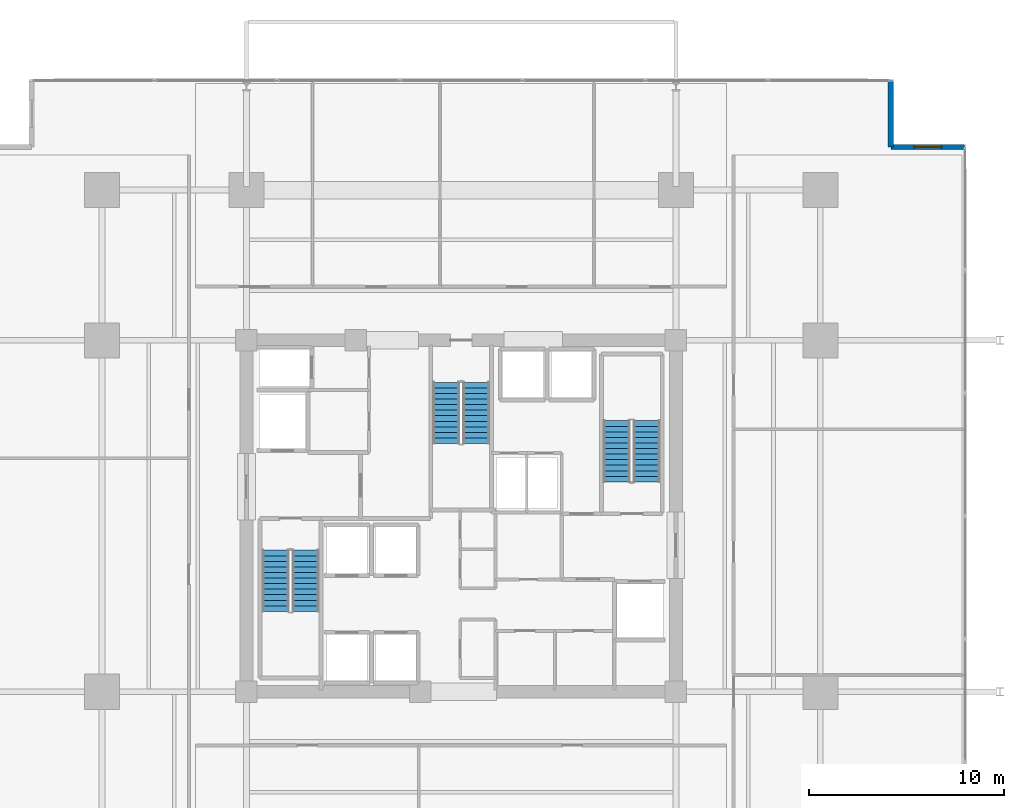
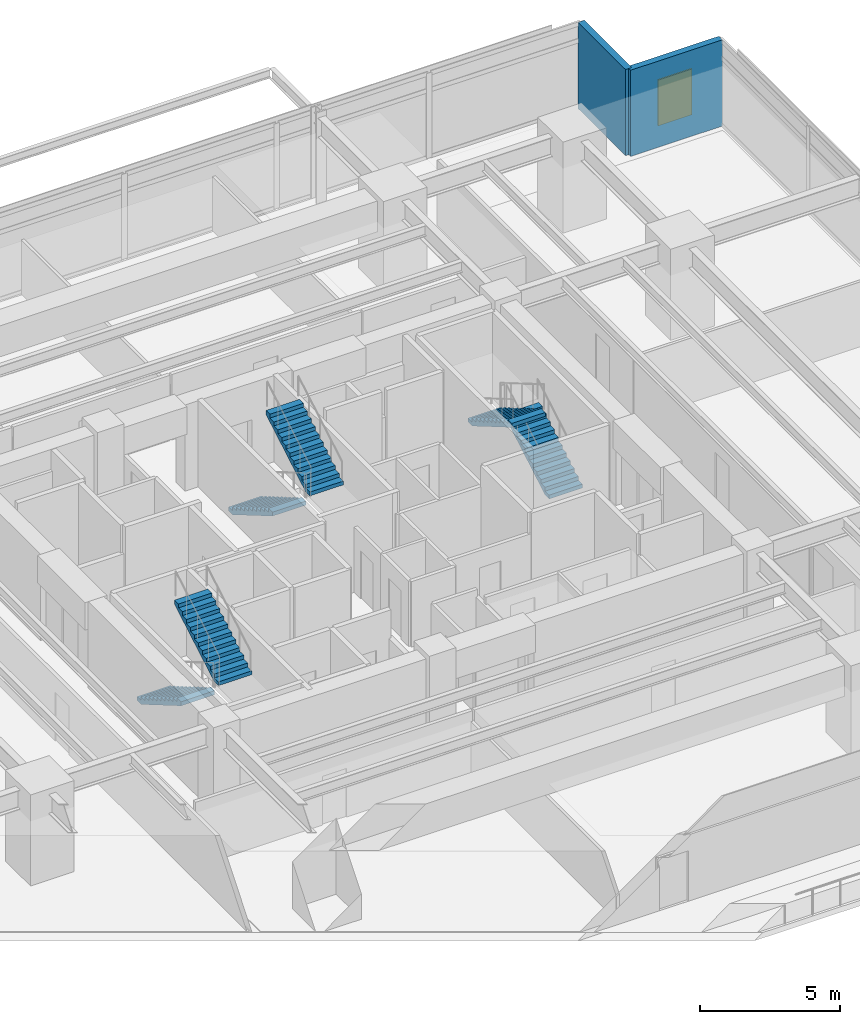
# One storey, part 17 of 22: 6 stair flights, 2 walls, 1 window, 1 opening, 3 elements without a shape of their own.
"""IFC4 building model written with IfcOpenShell, lengths in metres."""

from ifc_helpers import new_model, si_unit, direction, frame, frame_2d, origin, place, context, subcontext, project, spatial, polyline, rectangle, outline, extrude, material, layer, layer_set, type_object, element, fill, aggregate, save


model = new_model("IFC4")

# Units and contexts
model_context = context("Model", 3, precision=1e-05, world=origin(), true_north=direction((0.0, 1.0)))
body_context = subcontext(model_context, "Body", "Model", "MODEL_VIEW")
ifc_project = project(units=[si_unit("LENGTHUNIT", "METRE"), si_unit("AREAUNIT", "SQUARE_METRE"), si_unit("VOLUMEUNIT", "CUBIC_METRE"), si_unit("PLANEANGLEUNIT", "RADIAN"), si_unit("MASSUNIT", "GRAM", prefix="KILO")], contexts=[model_context])

# Site, building, storey
site_placement = place(None, origin())
site = spatial("IfcSite", under=ifc_project, at=site_placement, CompositionType="ELEMENT")
building_placement = place(site_placement, origin())
building = spatial("IfcBuilding", under=site, at=building_placement, Name="Kovane Verandah Tower", CompositionType="ELEMENT")
storey_placement = place(building_placement, frame((0.0, 0.0, 59.60009765625)))
storey = spatial("IfcBuildingStorey", under=building, at=storey_placement, Name="L13", CompositionType="ELEMENT", Elevation=59.60009765625)

# Wall, opening, window
ifc_material_1 = material(Name="Concrete C45/55 Insulated Spandrel Wall", Category="concrete")
ifc_layer = layer(ifc_material_1, 0.260009765625)
ifc_layer_set = layer_set([ifc_layer], Name="Concrete C45/55 Insulated Spandrel Wall")
wall_type = type_object("IfcWallType", Name="WL-SPANDREL-260", PredefinedType="PARAPET", material=ifc_layer_set)
wall_1_placement = place(storey_placement, frame((65.80517578125, 46.403564453125, 0.0), z_axis=(0.0, 0.0, 1.0), x_axis=(-1.0, 0.0, 0.0)))
wall_1 = element("IfcWall", 1, at=wall_1_placement, inside=storey, type_object=wall_type, Name="L13 NE Notch Cheek Wall 1", PredefinedType="PARAPET", context=body_context, shape_type="SweptSolid", body=[
    extrude(rectangle(XDim=3.800048828125, YDim=0.260009765625, at=frame_2d((1.89990234375, 0.0))), origin(), (0.0, 0.0, 1.0), 3.760009765625),
])
opening_placement = place(wall_1_placement, frame((1.199951171875, 0.0, 0.85009765625)))
opening = element("IfcOpeningElement", 2, at=opening_placement, cuts=wall_1, Name="Opening W-01", PredefinedType="OPENING", context=body_context, shape_type="SweptSolid", body=[
    extrude(rectangle(XDim=1.39990234375, YDim=2.0, at=frame_2d((0.699951171875, 1.0))), frame((0.0, 0.1298828125, 0.0), z_axis=(0.0, -1.0, 0.0), x_axis=(1.0, 0.0, 0.0)), (0.0, 0.0, 1.0), 0.260009765625),
])
ifc_material_2 = material(Name="Clear Low-E Laminated Double Glazing in Anodised Frame", Category="glass")
window_type = type_object("IfcWindowType", Name="WN-OPER-1400x2000", PartitioningType="SINGLE_PANEL", PredefinedType="WINDOW", material=ifc_material_2)
window_placement = place(opening_placement, origin())
window = element("IfcWindow", 3, at=window_placement, inside=storey, type_object=window_type, Name="L13 NE Re-Entrant Corner Operable Window", OverallHeight=2.0, OverallWidth=1.39990234375, PartitioningType="SINGLE_PANEL", PredefinedType="WINDOW", context=body_context, shape_type="SweptSolid", body=[
    extrude(rectangle(XDim=1.39990234375, YDim=2.0, at=frame_2d((0.699951171875, 1.0))), frame((0.0, 0.030029296875, 0.0), z_axis=(0.0, -1.0, 0.0), x_axis=(1.0, 0.0, 0.0)), (0.0, 0.0, 1.0), 0.06005859375),
])
fill(opening, window)

# Wall
wall_2_placement = place(storey_placement, frame((62.005126953125, 46.403564453125, 0.0), z_axis=(0.0, 0.0, 1.0), x_axis=(0.0, 1.0, 0.0)))
element("IfcWall", 4, at=wall_2_placement, inside=storey, type_object=wall_type, Name="L13 NE Notch Cheek Wall 2", PredefinedType="PARAPET", context=body_context, shape_type="SweptSolid", body=[
    extrude(rectangle(XDim=3.400146484375, YDim=0.260009765625, at=frame_2d((1.7001953125, 0.0))), origin(), (0.0, 0.0, 1.0), 3.760009765625),
])

# Stair, stair flights
ifc_material_3 = material(Name="Concrete C45/55", Category="concrete")
stair_type = type_object("IfcStairType", Name="ST-CORE-1380", PredefinedType="HALF_TURN_STAIR", material=ifc_material_3)
stair_1_placement = place(storey_placement, origin())
stair_1 = element("IfcStair", 5, at=stair_1_placement, inside=storey, type_object=stair_type, Name="L13 Exit Stair ST-01", PredefinedType="HALF_TURN_STAIR")
stair_flight_type = type_object("IfcStairFlightType", Name="STF-CORE-1380", PredefinedType="STRAIGHT", material=ifc_material_3)
stair_flight_1_placement = place(storey_placement, frame((30.489990234375, 25.75, 0.0), z_axis=(0.0, 0.0, 1.0), x_axis=(0.0, -1.0, 0.0)))
stair_flight_1 = element("IfcStairFlight", 6, at=stair_flight_1_placement, type_object=stair_flight_type, Name="ST-01 flight 1", NumberOfRisers=12, NumberOfTreads=11, PredefinedType="STRAIGHT", RiserHeight=0.166666667, TreadLength=0.285, context=body_context, shape_type="SweptSolid", body=[
    extrude(outline(polyline([(0.0, 0.0), (0.0, 0.166748046875), (0.284912109375, 0.166748046875), (0.284912109375, 0.333251953125), (0.570068359375, 0.333251953125), (0.570068359375, 0.5), (0.85498046875, 0.5), (0.85498046875, 0.666748046875), (1.139892578125, 0.666748046875), (1.139892578125, 0.833251953125), (1.425048828125, 0.833251953125), (1.425048828125, 1.0), (1.7099609375, 1.0), (1.7099609375, 1.166748046875), (1.9951171875, 1.166748046875), (1.9951171875, 1.333251953125), (2.280029296875, 1.333251953125), (2.280029296875, 1.5), (2.56494140625, 1.5), (2.56494140625, 1.666748046875), (2.85009765625, 1.666748046875), (2.85009765625, 1.833251953125), (3.135009765625, 1.833251953125), (3.135009765625, 2.0), (3.135009765625, 1.65966796875), (0.296875, 0.0), (0.0, 0.0)])), frame((0.0, 0.68994140625, 0.0), z_axis=(0.0, -1.0, 0.0), x_axis=(1.0, 0.0, 0.0)), (0.0, 0.0, 1.0), 1.3798828125),
])
stair_flight_2_placement = place(storey_placement, frame((32.030029296875, 22.614990234375, 2.0), z_axis=(0.0, 0.0, 1.0), x_axis=(0.0, 1.0, 0.0)))
stair_flight_2 = element("IfcStairFlight", 7, at=stair_flight_2_placement, type_object=stair_flight_type, Name="ST-01 flight 2", NumberOfRisers=12, NumberOfTreads=11, PredefinedType="STRAIGHT", RiserHeight=0.166666667, TreadLength=0.285, context=body_context, shape_type="SweptSolid", body=[
    extrude(outline(polyline([(0.0, 0.0), (0.0, 0.166748046875), (0.284912109375, 0.166748046875), (0.284912109375, 0.333251953125), (0.570068359375, 0.333251953125), (0.570068359375, 0.5), (0.85498046875, 0.5), (0.85498046875, 0.666748046875), (1.139892578125, 0.666748046875), (1.139892578125, 0.833251953125), (1.425048828125, 0.833251953125), (1.425048828125, 1.0), (1.7099609375, 1.0), (1.7099609375, 1.166748046875), (1.9951171875, 1.166748046875), (1.9951171875, 1.333251953125), (2.280029296875, 1.333251953125), (2.280029296875, 1.5), (2.56494140625, 1.5), (2.56494140625, 1.666748046875), (2.85009765625, 1.666748046875), (2.85009765625, 1.833251953125), (3.135009765625, 1.833251953125), (3.135009765625, 2.0), (3.135009765625, 1.65966796875), (0.296875, 0.0), (0.0, 0.0)])), frame((0.0, 0.68994140625, 0.0), z_axis=(0.0, -1.0, 0.0), x_axis=(1.0, 0.0, 0.0)), (0.0, 0.0, 1.0), 1.3798828125),
])
aggregate(stair_1, [stair_flight_1, stair_flight_2])

stair_2_placement = place(storey_placement, origin())
stair_2 = element("IfcStair", 8, at=stair_2_placement, inside=storey, type_object=stair_type, Name="L13 Exit Stair ST-02", PredefinedType="HALF_TURN_STAIR")
stair_flight_3_placement = place(storey_placement, frame((49.510009765625, 29.25, 0.0), z_axis=(0.0, 0.0, 1.0), x_axis=(0.0, 1.0, 0.0)))
stair_flight_3 = element("IfcStairFlight", 9, at=stair_flight_3_placement, type_object=stair_flight_type, Name="ST-02 flight 1", NumberOfRisers=12, NumberOfTreads=11, PredefinedType="STRAIGHT", RiserHeight=0.166666667, TreadLength=0.285, context=body_context, shape_type="SweptSolid", body=[
    extrude(outline(polyline([(0.0, 0.0), (0.0, 0.166748046875), (0.284912109375, 0.166748046875), (0.284912109375, 0.333251953125), (0.570068359375, 0.333251953125), (0.570068359375, 0.5), (0.85498046875, 0.5), (0.85498046875, 0.666748046875), (1.139892578125, 0.666748046875), (1.139892578125, 0.833251953125), (1.425048828125, 0.833251953125), (1.425048828125, 1.0), (1.7099609375, 1.0), (1.7099609375, 1.166748046875), (1.9951171875, 1.166748046875), (1.9951171875, 1.333251953125), (2.280029296875, 1.333251953125), (2.280029296875, 1.5), (2.56494140625, 1.5), (2.56494140625, 1.666748046875), (2.85009765625, 1.666748046875), (2.85009765625, 1.833251953125), (3.135009765625, 1.833251953125), (3.135009765625, 2.0), (3.135009765625, 1.65966796875), (0.296875, 0.0), (0.0, 0.0)])), frame((0.0, 0.68994140625, 0.0), z_axis=(0.0, -1.0, 0.0), x_axis=(1.0, 0.0, 0.0)), (0.0, 0.0, 1.0), 1.3798828125),
])
stair_flight_4_placement = place(storey_placement, frame((47.969970703125, 32.385009765625, 2.0), z_axis=(0.0, 0.0, 1.0), x_axis=(0.0, -1.0, 0.0)))
stair_flight_4 = element("IfcStairFlight", 10, at=stair_flight_4_placement, type_object=stair_flight_type, Name="ST-02 flight 2", NumberOfRisers=12, NumberOfTreads=11, PredefinedType="STRAIGHT", RiserHeight=0.166666667, TreadLength=0.285, context=body_context, shape_type="SweptSolid", body=[
    extrude(outline(polyline([(0.0, 0.0), (0.0, 0.166748046875), (0.284912109375, 0.166748046875), (0.284912109375, 0.333251953125), (0.570068359375, 0.333251953125), (0.570068359375, 0.5), (0.85498046875, 0.5), (0.85498046875, 0.666748046875), (1.139892578125, 0.666748046875), (1.139892578125, 0.833251953125), (1.425048828125, 0.833251953125), (1.425048828125, 1.0), (1.7099609375, 1.0), (1.7099609375, 1.166748046875), (1.9951171875, 1.166748046875), (1.9951171875, 1.333251953125), (2.280029296875, 1.333251953125), (2.280029296875, 1.5), (2.56494140625, 1.5), (2.56494140625, 1.666748046875), (2.85009765625, 1.666748046875), (2.85009765625, 1.833251953125), (3.135009765625, 1.833251953125), (3.135009765625, 2.0), (3.135009765625, 1.65966796875), (0.296875, 0.0), (0.0, 0.0)])), frame((0.0, 0.68994140625, 0.0), z_axis=(0.0, -1.0, 0.0), x_axis=(1.0, 0.0, 0.0)), (0.0, 0.0, 1.0), 1.3798828125),
])
aggregate(stair_2, [stair_flight_3, stair_flight_4])

stair_3_placement = place(storey_placement, origin())
stair_3 = element("IfcStair", 11, at=stair_3_placement, inside=storey, type_object=stair_type, Name="L13 Exit Stair ST-03", PredefinedType="HALF_TURN_STAIR")
stair_flight_5_placement = place(storey_placement, frame((39.22998046875, 34.35009765625, 0.0), z_axis=(0.0, 0.0, 1.0), x_axis=(0.0, -1.0, 0.0)))
stair_flight_5 = element("IfcStairFlight", 12, at=stair_flight_5_placement, type_object=stair_flight_type, Name="ST-03 flight 1", NumberOfRisers=12, NumberOfTreads=11, PredefinedType="STRAIGHT", RiserHeight=0.166666667, TreadLength=0.285, context=body_context, shape_type="SweptSolid", body=[
    extrude(outline(polyline([(0.0, 0.0), (0.0, 0.166748046875), (0.284912109375, 0.166748046875), (0.284912109375, 0.333251953125), (0.570068359375, 0.333251953125), (0.570068359375, 0.5), (0.85498046875, 0.5), (0.85498046875, 0.666748046875), (1.139892578125, 0.666748046875), (1.139892578125, 0.833251953125), (1.425048828125, 0.833251953125), (1.425048828125, 1.0), (1.7099609375, 1.0), (1.7099609375, 1.166748046875), (1.9951171875, 1.166748046875), (1.9951171875, 1.333251953125), (2.280029296875, 1.333251953125), (2.280029296875, 1.5), (2.56494140625, 1.5), (2.56494140625, 1.666748046875), (2.85009765625, 1.666748046875), (2.85009765625, 1.833251953125), (3.135009765625, 1.833251953125), (3.135009765625, 2.0), (3.135009765625, 1.65966796875), (0.296875, 0.0), (0.0, 0.0)])), frame((0.0, 0.68994140625, 0.0), z_axis=(0.0, -1.0, 0.0), x_axis=(1.0, 0.0, 0.0)), (0.0, 0.0, 1.0), 1.3798828125),
])
stair_flight_6_placement = place(storey_placement, frame((40.77001953125, 31.215087890625, 2.0), z_axis=(0.0, 0.0, 1.0), x_axis=(0.0, 1.0, 0.0)))
stair_flight_6 = element("IfcStairFlight", 13, at=stair_flight_6_placement, type_object=stair_flight_type, Name="ST-03 flight 2", NumberOfRisers=12, NumberOfTreads=11, PredefinedType="STRAIGHT", RiserHeight=0.166666667, TreadLength=0.285, context=body_context, shape_type="SweptSolid", body=[
    extrude(outline(polyline([(0.0, 0.0), (0.0, 0.166748046875), (0.284912109375, 0.166748046875), (0.284912109375, 0.333251953125), (0.570068359375, 0.333251953125), (0.570068359375, 0.5), (0.85498046875, 0.5), (0.85498046875, 0.666748046875), (1.139892578125, 0.666748046875), (1.139892578125, 0.833251953125), (1.425048828125, 0.833251953125), (1.425048828125, 1.0), (1.7099609375, 1.0), (1.7099609375, 1.166748046875), (1.9951171875, 1.166748046875), (1.9951171875, 1.333251953125), (2.280029296875, 1.333251953125), (2.280029296875, 1.5), (2.56494140625, 1.5), (2.56494140625, 1.666748046875), (2.85009765625, 1.666748046875), (2.85009765625, 1.833251953125), (3.135009765625, 1.833251953125), (3.135009765625, 2.0), (3.135009765625, 1.65966796875), (0.296875, 0.0), (0.0, 0.0)])), frame((0.0, 0.68994140625, 0.0), z_axis=(0.0, -1.0, 0.0), x_axis=(1.0, 0.0, 0.0)), (0.0, 0.0, 1.0), 1.3798828125),
])
aggregate(stair_3, [stair_flight_5, stair_flight_6])

save(model, "model.ifc")
